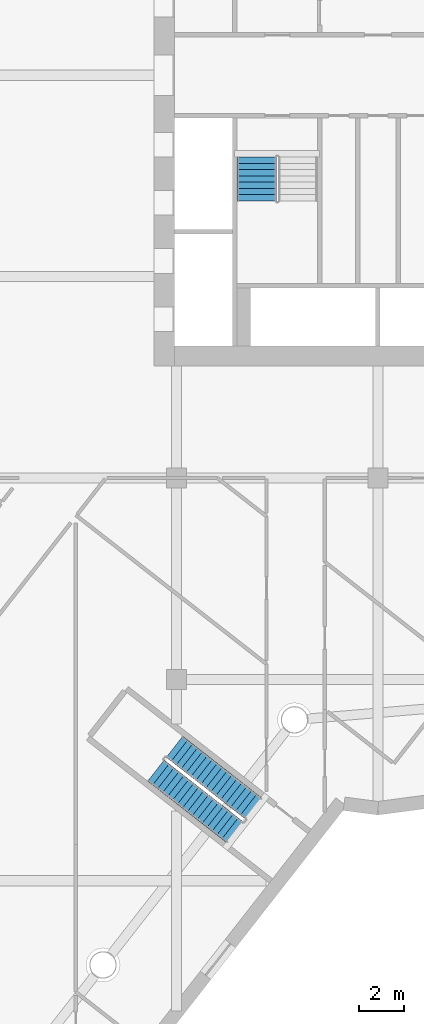
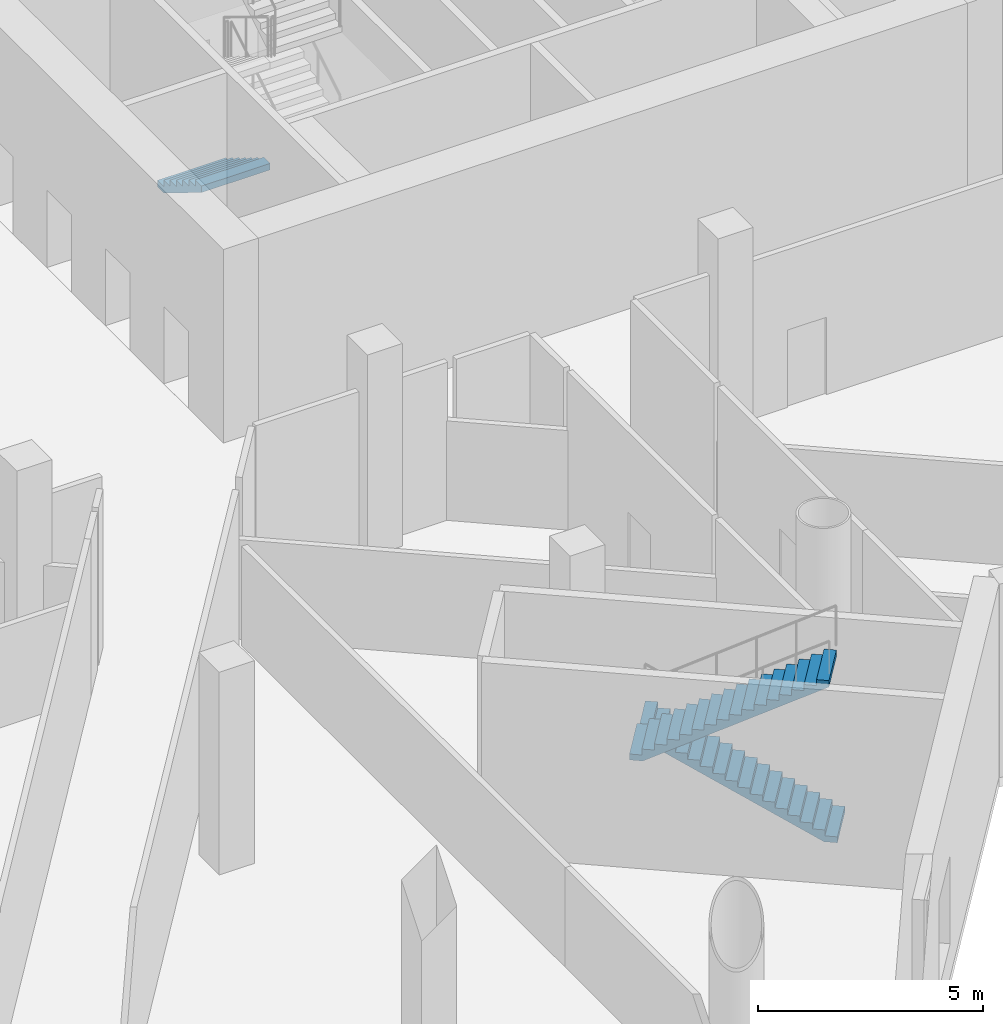
# One storey, part 13 of 23: 3 stair flights, 2 elements without a shape of their own.
"""IFC4 building model written with IfcOpenShell, lengths in metres."""

from ifc_helpers import new_model, si_unit, direction, frame, origin, place, context, subcontext, project, spatial, faceted_brep, material, type_object, element, aggregate, save


model = new_model("IFC4")

# Units and contexts
model_context = context("Model", 3, precision=1e-05, world=origin(), true_north=direction((0.0, 1.0)))
body_context = subcontext(model_context, "Body", "Model", "MODEL_VIEW")
ifc_project = project(units=[si_unit("LENGTHUNIT", "METRE"), si_unit("AREAUNIT", "SQUARE_METRE"), si_unit("VOLUMEUNIT", "CUBIC_METRE"), si_unit("PLANEANGLEUNIT", "RADIAN"), si_unit("MASSUNIT", "GRAM", prefix="KILO")], contexts=[model_context])

# Site, building, storey
site_placement = place(None, origin())
site = spatial("IfcSite", under=ifc_project, at=site_placement, CompositionType="ELEMENT")
building_placement = place(site_placement, origin())
building = spatial("IfcBuilding", under=site, at=building_placement, Name="Tarsis Ring Headquarters", CompositionType="ELEMENT")
storey_placement = place(building_placement, frame((0.0, 0.0, 14.0)))
storey = spatial("IfcBuildingStorey", under=building, at=storey_placement, Name="L02", CompositionType="ELEMENT", Elevation=14.0)

# Stair, stair flight
ifc_material_1 = material(Name="Core stair 1760")
stair_type_1 = type_object("IfcStairType", Name="Core stair 1760", PredefinedType="HALF_TURN_STAIR", material=ifc_material_1)
stair_1_placement = place(storey_placement, origin())
stair_1 = element("IfcStair", 1, at=stair_1_placement, inside=storey, type_object=stair_type_1, Name="L02 Exit stair C", PredefinedType="HALF_TURN_STAIR")
ifc_material_2 = material(Name="Concrete C40/50", Category="concrete")
stair_flight_type_1 = type_object("IfcStairFlightType", Name="Core stair flight 1760", PredefinedType="STRAIGHT", material=ifc_material_2)
stair_flight_1_placement = place(storey_placement, frame((-5.419921875, -3.659912109375, 0.0), z_axis=(0.0, 0.0, 1.0), x_axis=(0.0, -1.0, 0.0)))
stair_flight_1 = element("IfcStairFlight", 2, at=stair_flight_1_placement, type_object=stair_flight_type_1, Name="Stair ST3 flight 1", NumberOfRisers=8, NumberOfTreads=7, PredefinedType="STRAIGHT", RiserHeight=0.171875, TreadLength=0.28, context=body_context, shape_type="Brep", body=[
    faceted_brep([(0.0, 0.8798828125, 0.0), (0.0, 0.8798828125, 0.171875), (0.280029296875, 0.8798828125, 0.171875), (0.280029296875, 0.8798828125, 0.34375), (0.56005859375, 0.8798828125, 0.34375), (0.56005859375, 0.8798828125, 0.515625), (0.840087890625, 0.8798828125, 0.515625), (0.840087890625, 0.8798828125, 0.6875), (1.1201171875, 0.8798828125, 0.6875), (1.1201171875, 0.8798828125, 0.859375), (1.39990234375, 0.8798828125, 0.859375), (1.39990234375, 0.8798828125, 1.03125), (1.679931640625, 0.8798828125, 1.03125), (1.679931640625, 0.8798828125, 1.203125), (1.9599609375, 0.8798828125, 1.203125), (1.9599609375, 0.8798828125, 1.02734375), (0.28662109375, 0.8798828125, 0.0), (0.28662109375, -0.8798828125, 0.0), (1.9599609375, -0.8798828125, 1.02734375), (1.9599609375, -0.8798828125, 1.203125), (1.679931640625, -0.8798828125, 1.203125), (1.679931640625, -0.8798828125, 1.03125), (1.39990234375, -0.8798828125, 1.03125), (1.39990234375, -0.8798828125, 0.859375), (1.1201171875, -0.8798828125, 0.859375), (1.1201171875, -0.8798828125, 0.6875), (0.840087890625, -0.8798828125, 0.6875), (0.840087890625, -0.8798828125, 0.515625), (0.56005859375, -0.8798828125, 0.515625), (0.56005859375, -0.8798828125, 0.34375), (0.280029296875, -0.8798828125, 0.34375), (0.280029296875, -0.8798828125, 0.171875), (0.0, -0.8798828125, 0.171875), (0.0, -0.8798828125, 0.0), (0.0, -0.43994140625, 0.171875), (0.0, -0.43994140625, 0.0), (0.0, 0.0, 0.171875), (0.0, 0.0, 0.0), (0.0, 0.43994140625, 0.171875), (0.0, 0.43994140625, 0.0), (0.280029296875, -0.43994140625, 0.171875), (0.280029296875, 0.0, 0.171875), (0.280029296875, 0.43994140625, 0.171875), (0.280029296875, -0.43994140625, 0.34375), (0.280029296875, 0.0, 0.34375), (0.280029296875, 0.43994140625, 0.34375), (0.56005859375, -0.43994140625, 0.34375), (0.56005859375, 0.0, 0.34375), (0.56005859375, 0.43994140625, 0.34375), (0.56005859375, -0.43994140625, 0.515625), (0.56005859375, 0.0, 0.515625), (0.56005859375, 0.43994140625, 0.515625), (0.840087890625, -0.43994140625, 0.515625), (0.840087890625, 0.0, 0.515625), (0.840087890625, 0.43994140625, 0.515625), (0.840087890625, -0.43994140625, 0.6875), (0.840087890625, 0.0, 0.6875), (0.840087890625, 0.43994140625, 0.6875), (1.1201171875, -0.43994140625, 0.6875), (1.1201171875, 0.0, 0.6875), (1.1201171875, 0.43994140625, 0.6875), (1.1201171875, -0.43994140625, 0.859375), (1.1201171875, 0.0, 0.859375), (1.1201171875, 0.43994140625, 0.859375), (1.39990234375, -0.43994140625, 0.859375), (1.39990234375, 0.0, 0.859375), (1.39990234375, 0.43994140625, 0.859375), (1.39990234375, -0.43994140625, 1.03125), (1.39990234375, 0.0, 1.03125), (1.39990234375, 0.43994140625, 1.03125), (1.679931640625, -0.43994140625, 1.03125), (1.679931640625, 0.0, 1.03125), (1.679931640625, 0.43994140625, 1.03125), (1.679931640625, -0.43994140625, 1.203125), (1.679931640625, 0.0, 1.203125), (1.679931640625, 0.43994140625, 1.203125), (1.9599609375, -0.43994140625, 1.203125), (1.9599609375, 0.0, 1.203125), (1.9599609375, 0.43994140625, 1.203125), (1.9599609375, -0.43994140625, 1.02734375), (1.9599609375, 0.0, 1.02734375), (1.9599609375, 0.43994140625, 1.02734375), (0.28662109375, -0.43994140625, 0.0), (0.28662109375, 0.0, 0.0), (0.28662109375, 0.43994140625, 0.0)], [[[0, 1, 2, 3, 4, 5, 6, 7, 8, 9, 10, 11, 12, 13, 14, 15, 16]], [[17, 18, 19, 20, 21, 22, 23, 24, 25, 26, 27, 28, 29, 30, 31, 32, 33]], [[33, 32, 34, 35]], [[35, 34, 36, 37]], [[37, 36, 38, 39]], [[39, 38, 1, 0]], [[32, 31, 40, 34]], [[34, 40, 41, 36]], [[36, 41, 42, 38]], [[38, 42, 2, 1]], [[31, 30, 43, 40]], [[40, 43, 44, 41]], [[41, 44, 45, 42]], [[42, 45, 3, 2]], [[30, 29, 46, 43]], [[43, 46, 47, 44]], [[44, 47, 48, 45]], [[45, 48, 4, 3]], [[29, 28, 49, 46]], [[46, 49, 50, 47]], [[47, 50, 51, 48]], [[48, 51, 5, 4]], [[28, 27, 52, 49]], [[49, 52, 53, 50]], [[50, 53, 54, 51]], [[51, 54, 6, 5]], [[27, 26, 55, 52]], [[52, 55, 56, 53]], [[53, 56, 57, 54]], [[54, 57, 7, 6]], [[26, 25, 58, 55]], [[55, 58, 59, 56]], [[56, 59, 60, 57]], [[57, 60, 8, 7]], [[25, 24, 61, 58]], [[58, 61, 62, 59]], [[59, 62, 63, 60]], [[60, 63, 9, 8]], [[24, 23, 64, 61]], [[61, 64, 65, 62]], [[62, 65, 66, 63]], [[63, 66, 10, 9]], [[23, 22, 67, 64]], [[64, 67, 68, 65]], [[65, 68, 69, 66]], [[66, 69, 11, 10]], [[22, 21, 70, 67]], [[67, 70, 71, 68]], [[68, 71, 72, 69]], [[69, 72, 12, 11]], [[21, 20, 73, 70]], [[70, 73, 74, 71]], [[71, 74, 75, 72]], [[72, 75, 13, 12]], [[20, 19, 76, 73]], [[73, 76, 77, 74]], [[74, 77, 78, 75]], [[75, 78, 14, 13]], [[19, 18, 79, 76]], [[76, 79, 80, 77]], [[77, 80, 81, 78]], [[78, 81, 15, 14]], [[18, 17, 82, 79]], [[79, 82, 83, 80]], [[80, 83, 84, 81]], [[81, 84, 16, 15]], [[17, 33, 35, 82]], [[82, 35, 37, 83]], [[83, 37, 39, 84]], [[84, 39, 0, 16]]]),
])
aggregate(stair_1, [stair_flight_1])

# Stair, stair flights
stair_type_2 = type_object("IfcStairType", Name="PO-ST", PredefinedType="HALF_TURN_STAIR", material=ifc_material_2)
stair_2_placement = place(storey_placement, origin())
stair_2 = element("IfcStair", 3, at=stair_2_placement, inside=storey, type_object=stair_type_2, Name="L02 Podium stair", PredefinedType="HALF_TURN_STAIR")
stair_flight_type_2 = type_object("IfcStairFlightType", Name="PO-STF", PredefinedType="STRAIGHT", material=ifc_material_2)
stair_flight_2_placement = place(storey_placement, frame((-5.55712890625, -32.768798828125, 0.0), z_axis=(0.0, 0.0, 1.0), x_axis=(-0.788276433435, 0.615321269331, 0.0)))
stair_flight_2 = element("IfcStairFlight", 4, at=stair_flight_2_placement, type_object=stair_flight_type_2, Name="Stair PS2 flight 1", NumberOfRisers=17, NumberOfTreads=16, PredefinedType="STRAIGHT", RiserHeight=0.161764706, TreadLength=0.28, context=body_context, shape_type="Brep", body=[
    faceted_brep([(0.0, 0.60009765625, 0.0), (0.0, 0.60009765625, 0.161865234375), (0.280029296875, 0.60009765625, 0.161865234375), (0.280029296875, 0.60009765625, 0.323486328125), (0.56005859375, 0.60009765625, 0.323486328125), (0.56005859375, 0.60009765625, 0.4853515625), (0.840087890625, 0.60009765625, 0.4853515625), (0.840087890625, 0.60009765625, 0.64697265625), (1.1201171875, 0.60009765625, 0.64697265625), (1.1201171875, 0.60009765625, 0.808837890625), (1.39990234375, 0.60009765625, 0.808837890625), (1.39990234375, 0.60009765625, 0.970703125), (1.679931640625, 0.60009765625, 0.970703125), (1.679931640625, 0.60009765625, 1.13232421875), (1.9599609375, 0.60009765625, 1.13232421875), (1.9599609375, 0.60009765625, 1.294189453125), (2.239990234375, 0.60009765625, 1.294189453125), (2.239990234375, 0.60009765625, 1.455810546875), (2.52001953125, 0.60009765625, 1.455810546875), (2.52001953125, 0.60009765625, 1.61767578125), (2.800048828125, 0.60009765625, 1.61767578125), (2.800048828125, 0.60009765625, 1.779296875), (3.080078125, 0.60009765625, 1.779296875), (3.080078125, 0.60009765625, 1.941162109375), (3.360107421875, 0.60009765625, 1.941162109375), (3.360107421875, 0.60009765625, 2.10302734375), (3.639892578125, 0.60009765625, 2.10302734375), (3.639892578125, 0.60009765625, 2.2646484375), (3.919921875, 0.60009765625, 2.2646484375), (3.919921875, 0.60009765625, 2.426513671875), (4.199951171875, 0.60009765625, 2.426513671875), (4.199951171875, 0.60009765625, 2.588134765625), (4.47998046875, 0.60009765625, 2.588134765625), (4.47998046875, 0.60009765625, 2.4150390625), (0.299560546875, 0.60009765625, 0.0), (0.299560546875, -0.60009765625, 0.0), (4.47998046875, -0.60009765625, 2.4150390625), (4.47998046875, -0.60009765625, 2.588134765625), (4.199951171875, -0.60009765625, 2.588134765625), (4.199951171875, -0.60009765625, 2.426513671875), (3.919921875, -0.60009765625, 2.426513671875), (3.919921875, -0.60009765625, 2.2646484375), (3.639892578125, -0.60009765625, 2.2646484375), (3.639892578125, -0.60009765625, 2.10302734375), (3.360107421875, -0.60009765625, 2.10302734375), (3.360107421875, -0.60009765625, 1.941162109375), (3.080078125, -0.60009765625, 1.941162109375), (3.080078125, -0.60009765625, 1.779296875), (2.800048828125, -0.60009765625, 1.779296875), (2.800048828125, -0.60009765625, 1.61767578125), (2.52001953125, -0.60009765625, 1.61767578125), (2.52001953125, -0.60009765625, 1.455810546875), (2.239990234375, -0.60009765625, 1.455810546875), (2.239990234375, -0.60009765625, 1.294189453125), (1.9599609375, -0.60009765625, 1.294189453125), (1.9599609375, -0.60009765625, 1.13232421875), (1.679931640625, -0.60009765625, 1.13232421875), (1.679931640625, -0.60009765625, 0.970703125), (1.39990234375, -0.60009765625, 0.970703125), (1.39990234375, -0.60009765625, 0.808837890625), (1.1201171875, -0.60009765625, 0.808837890625), (1.1201171875, -0.60009765625, 0.64697265625), (0.840087890625, -0.60009765625, 0.64697265625), (0.840087890625, -0.60009765625, 0.4853515625), (0.56005859375, -0.60009765625, 0.4853515625), (0.56005859375, -0.60009765625, 0.323486328125), (0.280029296875, -0.60009765625, 0.323486328125), (0.280029296875, -0.60009765625, 0.161865234375), (0.0, -0.60009765625, 0.161865234375), (0.0, -0.60009765625, 0.0), (0.0, -0.300048828125, 0.161865234375), (0.0, -0.300048828125, 0.0), (0.0, 0.0, 0.161865234375), (0.0, 0.0, 0.0), (0.0, 0.300048828125, 0.161865234375), (0.0, 0.300048828125, 0.0), (0.280029296875, -0.300048828125, 0.161865234375), (0.280029296875, 0.0, 0.161865234375), (0.280029296875, 0.300048828125, 0.161865234375), (0.280029296875, -0.300048828125, 0.323486328125), (0.280029296875, 0.0, 0.323486328125), (0.280029296875, 0.300048828125, 0.323486328125), (0.56005859375, -0.300048828125, 0.323486328125), (0.56005859375, 0.0, 0.323486328125), (0.56005859375, 0.300048828125, 0.323486328125), (0.56005859375, -0.300048828125, 0.4853515625), (0.56005859375, 0.0, 0.4853515625), (0.56005859375, 0.300048828125, 0.4853515625), (0.840087890625, -0.300048828125, 0.4853515625), (0.840087890625, 0.0, 0.4853515625), (0.840087890625, 0.300048828125, 0.4853515625), (0.840087890625, -0.300048828125, 0.64697265625), (0.840087890625, 0.0, 0.64697265625), (0.840087890625, 0.300048828125, 0.64697265625), (1.1201171875, -0.300048828125, 0.64697265625), (1.1201171875, 0.0, 0.64697265625), (1.1201171875, 0.300048828125, 0.64697265625), (1.1201171875, -0.300048828125, 0.808837890625), (1.1201171875, 0.0, 0.808837890625), (1.1201171875, 0.300048828125, 0.808837890625), (1.39990234375, -0.300048828125, 0.808837890625), (1.39990234375, 0.0, 0.808837890625), (1.39990234375, 0.300048828125, 0.808837890625), (1.39990234375, -0.300048828125, 0.970703125), (1.39990234375, 0.0, 0.970703125), (1.39990234375, 0.300048828125, 0.970703125), (1.679931640625, -0.300048828125, 0.970703125), (1.679931640625, 0.0, 0.970703125), (1.679931640625, 0.300048828125, 0.970703125), (1.679931640625, -0.300048828125, 1.13232421875), (1.679931640625, 0.0, 1.13232421875), (1.679931640625, 0.300048828125, 1.13232421875), (1.9599609375, -0.300048828125, 1.13232421875), (1.9599609375, 0.0, 1.13232421875), (1.9599609375, 0.300048828125, 1.13232421875), (1.9599609375, -0.300048828125, 1.294189453125), (1.9599609375, 0.0, 1.294189453125), (1.9599609375, 0.300048828125, 1.294189453125), (2.239990234375, -0.300048828125, 1.294189453125), (2.239990234375, 0.0, 1.294189453125), (2.239990234375, 0.300048828125, 1.294189453125), (2.239990234375, -0.300048828125, 1.455810546875), (2.239990234375, 0.0, 1.455810546875), (2.239990234375, 0.300048828125, 1.455810546875), (2.52001953125, -0.300048828125, 1.455810546875), (2.52001953125, 0.0, 1.455810546875), (2.52001953125, 0.300048828125, 1.455810546875), (2.52001953125, -0.300048828125, 1.61767578125), (2.52001953125, 0.0, 1.61767578125), (2.52001953125, 0.300048828125, 1.61767578125), (2.800048828125, -0.300048828125, 1.61767578125), (2.800048828125, 0.0, 1.61767578125), (2.800048828125, 0.300048828125, 1.61767578125), (2.800048828125, -0.300048828125, 1.779296875), (2.800048828125, 0.0, 1.779296875), (2.800048828125, 0.300048828125, 1.779296875), (3.080078125, -0.300048828125, 1.779296875), (3.080078125, 0.0, 1.779296875), (3.080078125, 0.300048828125, 1.779296875), (3.080078125, -0.300048828125, 1.941162109375), (3.080078125, 0.0, 1.941162109375), (3.080078125, 0.300048828125, 1.941162109375), (3.360107421875, -0.300048828125, 1.941162109375), (3.360107421875, 0.0, 1.941162109375), (3.360107421875, 0.300048828125, 1.941162109375), (3.360107421875, -0.300048828125, 2.10302734375), (3.360107421875, 0.0, 2.10302734375), (3.360107421875, 0.300048828125, 2.10302734375), (3.639892578125, -0.300048828125, 2.10302734375), (3.639892578125, 0.0, 2.10302734375), (3.639892578125, 0.300048828125, 2.10302734375), (3.639892578125, -0.300048828125, 2.2646484375), (3.639892578125, 0.0, 2.2646484375), (3.639892578125, 0.300048828125, 2.2646484375), (3.919921875, -0.300048828125, 2.2646484375), (3.919921875, 0.0, 2.2646484375), (3.919921875, 0.300048828125, 2.2646484375), (3.919921875, -0.300048828125, 2.426513671875), (3.919921875, 0.0, 2.426513671875), (3.919921875, 0.300048828125, 2.426513671875), (4.199951171875, -0.300048828125, 2.426513671875), (4.199951171875, 0.0, 2.426513671875), (4.199951171875, 0.300048828125, 2.426513671875), (4.199951171875, -0.300048828125, 2.588134765625), (4.199951171875, 0.0, 2.588134765625), (4.199951171875, 0.300048828125, 2.588134765625), (4.47998046875, -0.300048828125, 2.588134765625), (4.47998046875, 0.0, 2.588134765625), (4.47998046875, 0.300048828125, 2.588134765625), (4.47998046875, -0.300048828125, 2.4150390625), (4.47998046875, 0.0, 2.4150390625), (4.47998046875, 0.300048828125, 2.4150390625), (0.299560546875, -0.300048828125, 0.0), (0.299560546875, 0.0, 0.0), (0.299560546875, 0.300048828125, 0.0)], [[[0, 1, 2, 3, 4, 5, 6, 7, 8, 9, 10, 11, 12, 13, 14, 15, 16, 17, 18, 19, 20, 21, 22, 23, 24, 25, 26, 27, 28, 29, 30, 31, 32, 33, 34]], [[35, 36, 37, 38, 39, 40, 41, 42, 43, 44, 45, 46, 47, 48, 49, 50, 51, 52, 53, 54, 55, 56, 57, 58, 59, 60, 61, 62, 63, 64, 65, 66, 67, 68, 69]], [[69, 68, 70, 71]], [[71, 70, 72, 73]], [[73, 72, 74, 75]], [[75, 74, 1, 0]], [[68, 67, 76, 70]], [[70, 76, 77, 72]], [[72, 77, 78, 74]], [[74, 78, 2, 1]], [[67, 66, 79, 76]], [[76, 79, 80, 77]], [[77, 80, 81, 78]], [[78, 81, 3, 2]], [[66, 65, 82, 79]], [[79, 82, 83, 80]], [[80, 83, 84, 81]], [[81, 84, 4, 3]], [[65, 64, 85, 82]], [[82, 85, 86, 83]], [[83, 86, 87, 84]], [[84, 87, 5, 4]], [[64, 63, 88, 85]], [[85, 88, 89, 86]], [[86, 89, 90, 87]], [[87, 90, 6, 5]], [[63, 62, 91, 88]], [[88, 91, 92, 89]], [[89, 92, 93, 90]], [[90, 93, 7, 6]], [[62, 61, 94, 91]], [[91, 94, 95, 92]], [[92, 95, 96, 93]], [[93, 96, 8, 7]], [[61, 60, 97, 94]], [[94, 97, 98, 95]], [[95, 98, 99, 96]], [[96, 99, 9, 8]], [[60, 59, 100, 97]], [[97, 100, 101, 98]], [[98, 101, 102, 99]], [[99, 102, 10, 9]], [[59, 58, 103, 100]], [[100, 103, 104, 101]], [[101, 104, 105, 102]], [[102, 105, 11, 10]], [[58, 57, 106, 103]], [[103, 106, 107, 104]], [[104, 107, 108, 105]], [[105, 108, 12, 11]], [[57, 56, 109, 106]], [[106, 109, 110, 107]], [[107, 110, 111, 108]], [[108, 111, 13, 12]], [[56, 55, 112, 109]], [[109, 112, 113, 110]], [[110, 113, 114, 111]], [[111, 114, 14, 13]], [[55, 54, 115, 112]], [[112, 115, 116, 113]], [[113, 116, 117, 114]], [[114, 117, 15, 14]], [[54, 53, 118, 115]], [[115, 118, 119, 116]], [[116, 119, 120, 117]], [[117, 120, 16, 15]], [[53, 52, 121, 118]], [[118, 121, 122, 119]], [[119, 122, 123, 120]], [[120, 123, 17, 16]], [[52, 51, 124, 121]], [[121, 124, 125, 122]], [[122, 125, 126, 123]], [[123, 126, 18, 17]], [[51, 50, 127, 124]], [[124, 127, 128, 125]], [[125, 128, 129, 126]], [[126, 129, 19, 18]], [[50, 49, 130, 127]], [[127, 130, 131, 128]], [[128, 131, 132, 129]], [[129, 132, 20, 19]], [[49, 48, 133, 130]], [[130, 133, 134, 131]], [[131, 134, 135, 132]], [[132, 135, 21, 20]], [[48, 47, 136, 133]], [[133, 136, 137, 134]], [[134, 137, 138, 135]], [[135, 138, 22, 21]], [[47, 46, 139, 136]], [[136, 139, 140, 137]], [[137, 140, 141, 138]], [[138, 141, 23, 22]], [[46, 45, 142, 139]], [[139, 142, 143, 140]], [[140, 143, 144, 141]], [[141, 144, 24, 23]], [[45, 44, 145, 142]], [[142, 145, 146, 143]], [[143, 146, 147, 144]], [[144, 147, 25, 24]], [[44, 43, 148, 145]], [[145, 148, 149, 146]], [[146, 149, 150, 147]], [[147, 150, 26, 25]], [[43, 42, 151, 148]], [[148, 151, 152, 149]], [[149, 152, 153, 150]], [[150, 153, 27, 26]], [[42, 41, 154, 151]], [[151, 154, 155, 152]], [[152, 155, 156, 153]], [[153, 156, 28, 27]], [[41, 40, 157, 154]], [[154, 157, 158, 155]], [[155, 158, 159, 156]], [[156, 159, 29, 28]], [[40, 39, 160, 157]], [[157, 160, 161, 158]], [[158, 161, 162, 159]], [[159, 162, 30, 29]], [[39, 38, 163, 160]], [[160, 163, 164, 161]], [[161, 164, 165, 162]], [[162, 165, 31, 30]], [[38, 37, 166, 163]], [[163, 166, 167, 164]], [[164, 167, 168, 165]], [[165, 168, 32, 31]], [[37, 36, 169, 166]], [[166, 169, 170, 167]], [[167, 170, 171, 168]], [[168, 171, 33, 32]], [[36, 35, 172, 169]], [[169, 172, 173, 170]], [[170, 173, 174, 171]], [[171, 174, 34, 33]], [[35, 69, 71, 172]], [[172, 71, 73, 173]], [[173, 73, 75, 174]], [[174, 75, 0, 34]]]),
])
stair_flight_3_placement = place(storey_placement, frame((-9.919189453125, -31.076416015625, 2.75), z_axis=(0.0, 0.0, 1.0), x_axis=(0.788276433435, -0.615321269331, 0.0)))
stair_flight_3 = element("IfcStairFlight", 5, at=stair_flight_3_placement, type_object=stair_flight_type_2, Name="Stair PS2 flight 2", NumberOfRisers=17, NumberOfTreads=16, PredefinedType="STRAIGHT", RiserHeight=0.161764706, TreadLength=0.28, context=body_context, shape_type="Brep", body=[
    faceted_brep([(0.0, 0.60009765625, 0.0), (0.0, 0.60009765625, 0.161865234375), (0.280029296875, 0.60009765625, 0.161865234375), (0.280029296875, 0.60009765625, 0.323486328125), (0.56005859375, 0.60009765625, 0.323486328125), (0.56005859375, 0.60009765625, 0.4853515625), (0.840087890625, 0.60009765625, 0.4853515625), (0.840087890625, 0.60009765625, 0.64697265625), (1.1201171875, 0.60009765625, 0.64697265625), (1.1201171875, 0.60009765625, 0.808837890625), (1.39990234375, 0.60009765625, 0.808837890625), (1.39990234375, 0.60009765625, 0.970703125), (1.679931640625, 0.60009765625, 0.970703125), (1.679931640625, 0.60009765625, 1.13232421875), (1.9599609375, 0.60009765625, 1.13232421875), (1.9599609375, 0.60009765625, 1.294189453125), (2.239990234375, 0.60009765625, 1.294189453125), (2.239990234375, 0.60009765625, 1.455810546875), (2.52001953125, 0.60009765625, 1.455810546875), (2.52001953125, 0.60009765625, 1.61767578125), (2.800048828125, 0.60009765625, 1.61767578125), (2.800048828125, 0.60009765625, 1.779296875), (3.080078125, 0.60009765625, 1.779296875), (3.080078125, 0.60009765625, 1.941162109375), (3.360107421875, 0.60009765625, 1.941162109375), (3.360107421875, 0.60009765625, 2.10302734375), (3.639892578125, 0.60009765625, 2.10302734375), (3.639892578125, 0.60009765625, 2.2646484375), (3.919921875, 0.60009765625, 2.2646484375), (3.919921875, 0.60009765625, 2.426513671875), (4.199951171875, 0.60009765625, 2.426513671875), (4.199951171875, 0.60009765625, 2.588134765625), (4.47998046875, 0.60009765625, 2.588134765625), (4.47998046875, 0.60009765625, 2.4150390625), (0.299560546875, 0.60009765625, 0.0), (0.299560546875, -0.60009765625, 0.0), (4.47998046875, -0.60009765625, 2.4150390625), (4.47998046875, -0.60009765625, 2.588134765625), (4.199951171875, -0.60009765625, 2.588134765625), (4.199951171875, -0.60009765625, 2.426513671875), (3.919921875, -0.60009765625, 2.426513671875), (3.919921875, -0.60009765625, 2.2646484375), (3.639892578125, -0.60009765625, 2.2646484375), (3.639892578125, -0.60009765625, 2.10302734375), (3.360107421875, -0.60009765625, 2.10302734375), (3.360107421875, -0.60009765625, 1.941162109375), (3.080078125, -0.60009765625, 1.941162109375), (3.080078125, -0.60009765625, 1.779296875), (2.800048828125, -0.60009765625, 1.779296875), (2.800048828125, -0.60009765625, 1.61767578125), (2.52001953125, -0.60009765625, 1.61767578125), (2.52001953125, -0.60009765625, 1.455810546875), (2.239990234375, -0.60009765625, 1.455810546875), (2.239990234375, -0.60009765625, 1.294189453125), (1.9599609375, -0.60009765625, 1.294189453125), (1.9599609375, -0.60009765625, 1.13232421875), (1.679931640625, -0.60009765625, 1.13232421875), (1.679931640625, -0.60009765625, 0.970703125), (1.39990234375, -0.60009765625, 0.970703125), (1.39990234375, -0.60009765625, 0.808837890625), (1.1201171875, -0.60009765625, 0.808837890625), (1.1201171875, -0.60009765625, 0.64697265625), (0.840087890625, -0.60009765625, 0.64697265625), (0.840087890625, -0.60009765625, 0.4853515625), (0.56005859375, -0.60009765625, 0.4853515625), (0.56005859375, -0.60009765625, 0.323486328125), (0.280029296875, -0.60009765625, 0.323486328125), (0.280029296875, -0.60009765625, 0.161865234375), (0.0, -0.60009765625, 0.161865234375), (0.0, -0.60009765625, 0.0), (0.0, -0.300048828125, 0.161865234375), (0.0, -0.300048828125, 0.0), (0.0, 0.0, 0.161865234375), (0.0, 0.0, 0.0), (0.0, 0.300048828125, 0.161865234375), (0.0, 0.300048828125, 0.0), (0.280029296875, -0.300048828125, 0.161865234375), (0.280029296875, 0.0, 0.161865234375), (0.280029296875, 0.300048828125, 0.161865234375), (0.280029296875, -0.300048828125, 0.323486328125), (0.280029296875, 0.0, 0.323486328125), (0.280029296875, 0.300048828125, 0.323486328125), (0.56005859375, -0.300048828125, 0.323486328125), (0.56005859375, 0.0, 0.323486328125), (0.56005859375, 0.300048828125, 0.323486328125), (0.56005859375, -0.300048828125, 0.4853515625), (0.56005859375, 0.0, 0.4853515625), (0.56005859375, 0.300048828125, 0.4853515625), (0.840087890625, -0.300048828125, 0.4853515625), (0.840087890625, 0.0, 0.4853515625), (0.840087890625, 0.300048828125, 0.4853515625), (0.840087890625, -0.300048828125, 0.64697265625), (0.840087890625, 0.0, 0.64697265625), (0.840087890625, 0.300048828125, 0.64697265625), (1.1201171875, -0.300048828125, 0.64697265625), (1.1201171875, 0.0, 0.64697265625), (1.1201171875, 0.300048828125, 0.64697265625), (1.1201171875, -0.300048828125, 0.808837890625), (1.1201171875, 0.0, 0.808837890625), (1.1201171875, 0.300048828125, 0.808837890625), (1.39990234375, -0.300048828125, 0.808837890625), (1.39990234375, 0.0, 0.808837890625), (1.39990234375, 0.300048828125, 0.808837890625), (1.39990234375, -0.300048828125, 0.970703125), (1.39990234375, 0.0, 0.970703125), (1.39990234375, 0.300048828125, 0.970703125), (1.679931640625, -0.300048828125, 0.970703125), (1.679931640625, 0.0, 0.970703125), (1.679931640625, 0.300048828125, 0.970703125), (1.679931640625, -0.300048828125, 1.13232421875), (1.679931640625, 0.0, 1.13232421875), (1.679931640625, 0.300048828125, 1.13232421875), (1.9599609375, -0.300048828125, 1.13232421875), (1.9599609375, 0.0, 1.13232421875), (1.9599609375, 0.300048828125, 1.13232421875), (1.9599609375, -0.300048828125, 1.294189453125), (1.9599609375, 0.0, 1.294189453125), (1.9599609375, 0.300048828125, 1.294189453125), (2.239990234375, -0.300048828125, 1.294189453125), (2.239990234375, 0.0, 1.294189453125), (2.239990234375, 0.300048828125, 1.294189453125), (2.239990234375, -0.300048828125, 1.455810546875), (2.239990234375, 0.0, 1.455810546875), (2.239990234375, 0.300048828125, 1.455810546875), (2.52001953125, -0.300048828125, 1.455810546875), (2.52001953125, 0.0, 1.455810546875), (2.52001953125, 0.300048828125, 1.455810546875), (2.52001953125, -0.300048828125, 1.61767578125), (2.52001953125, 0.0, 1.61767578125), (2.52001953125, 0.300048828125, 1.61767578125), (2.800048828125, -0.300048828125, 1.61767578125), (2.800048828125, 0.0, 1.61767578125), (2.800048828125, 0.300048828125, 1.61767578125), (2.800048828125, -0.300048828125, 1.779296875), (2.800048828125, 0.0, 1.779296875), (2.800048828125, 0.300048828125, 1.779296875), (3.080078125, -0.300048828125, 1.779296875), (3.080078125, 0.0, 1.779296875), (3.080078125, 0.300048828125, 1.779296875), (3.080078125, -0.300048828125, 1.941162109375), (3.080078125, 0.0, 1.941162109375), (3.080078125, 0.300048828125, 1.941162109375), (3.360107421875, -0.300048828125, 1.941162109375), (3.360107421875, 0.0, 1.941162109375), (3.360107421875, 0.300048828125, 1.941162109375), (3.360107421875, -0.300048828125, 2.10302734375), (3.360107421875, 0.0, 2.10302734375), (3.360107421875, 0.300048828125, 2.10302734375), (3.639892578125, -0.300048828125, 2.10302734375), (3.639892578125, 0.0, 2.10302734375), (3.639892578125, 0.300048828125, 2.10302734375), (3.639892578125, -0.300048828125, 2.2646484375), (3.639892578125, 0.0, 2.2646484375), (3.639892578125, 0.300048828125, 2.2646484375), (3.919921875, -0.300048828125, 2.2646484375), (3.919921875, 0.0, 2.2646484375), (3.919921875, 0.300048828125, 2.2646484375), (3.919921875, -0.300048828125, 2.426513671875), (3.919921875, 0.0, 2.426513671875), (3.919921875, 0.300048828125, 2.426513671875), (4.199951171875, -0.300048828125, 2.426513671875), (4.199951171875, 0.0, 2.426513671875), (4.199951171875, 0.300048828125, 2.426513671875), (4.199951171875, -0.300048828125, 2.588134765625), (4.199951171875, 0.0, 2.588134765625), (4.199951171875, 0.300048828125, 2.588134765625), (4.47998046875, -0.300048828125, 2.588134765625), (4.47998046875, 0.0, 2.588134765625), (4.47998046875, 0.300048828125, 2.588134765625), (4.47998046875, -0.300048828125, 2.4150390625), (4.47998046875, 0.0, 2.4150390625), (4.47998046875, 0.300048828125, 2.4150390625), (0.299560546875, -0.300048828125, 0.0), (0.299560546875, 0.0, 0.0), (0.299560546875, 0.300048828125, 0.0)], [[[0, 1, 2, 3, 4, 5, 6, 7, 8, 9, 10, 11, 12, 13, 14, 15, 16, 17, 18, 19, 20, 21, 22, 23, 24, 25, 26, 27, 28, 29, 30, 31, 32, 33, 34]], [[35, 36, 37, 38, 39, 40, 41, 42, 43, 44, 45, 46, 47, 48, 49, 50, 51, 52, 53, 54, 55, 56, 57, 58, 59, 60, 61, 62, 63, 64, 65, 66, 67, 68, 69]], [[69, 68, 70, 71]], [[71, 70, 72, 73]], [[73, 72, 74, 75]], [[75, 74, 1, 0]], [[68, 67, 76, 70]], [[70, 76, 77, 72]], [[72, 77, 78, 74]], [[74, 78, 2, 1]], [[67, 66, 79, 76]], [[76, 79, 80, 77]], [[77, 80, 81, 78]], [[78, 81, 3, 2]], [[66, 65, 82, 79]], [[79, 82, 83, 80]], [[80, 83, 84, 81]], [[81, 84, 4, 3]], [[65, 64, 85, 82]], [[82, 85, 86, 83]], [[83, 86, 87, 84]], [[84, 87, 5, 4]], [[64, 63, 88, 85]], [[85, 88, 89, 86]], [[86, 89, 90, 87]], [[87, 90, 6, 5]], [[63, 62, 91, 88]], [[88, 91, 92, 89]], [[89, 92, 93, 90]], [[90, 93, 7, 6]], [[62, 61, 94, 91]], [[91, 94, 95, 92]], [[92, 95, 96, 93]], [[93, 96, 8, 7]], [[61, 60, 97, 94]], [[94, 97, 98, 95]], [[95, 98, 99, 96]], [[96, 99, 9, 8]], [[60, 59, 100, 97]], [[97, 100, 101, 98]], [[98, 101, 102, 99]], [[99, 102, 10, 9]], [[59, 58, 103, 100]], [[100, 103, 104, 101]], [[101, 104, 105, 102]], [[102, 105, 11, 10]], [[58, 57, 106, 103]], [[103, 106, 107, 104]], [[104, 107, 108, 105]], [[105, 108, 12, 11]], [[57, 56, 109, 106]], [[106, 109, 110, 107]], [[107, 110, 111, 108]], [[108, 111, 13, 12]], [[56, 55, 112, 109]], [[109, 112, 113, 110]], [[110, 113, 114, 111]], [[111, 114, 14, 13]], [[55, 54, 115, 112]], [[112, 115, 116, 113]], [[113, 116, 117, 114]], [[114, 117, 15, 14]], [[54, 53, 118, 115]], [[115, 118, 119, 116]], [[116, 119, 120, 117]], [[117, 120, 16, 15]], [[53, 52, 121, 118]], [[118, 121, 122, 119]], [[119, 122, 123, 120]], [[120, 123, 17, 16]], [[52, 51, 124, 121]], [[121, 124, 125, 122]], [[122, 125, 126, 123]], [[123, 126, 18, 17]], [[51, 50, 127, 124]], [[124, 127, 128, 125]], [[125, 128, 129, 126]], [[126, 129, 19, 18]], [[50, 49, 130, 127]], [[127, 130, 131, 128]], [[128, 131, 132, 129]], [[129, 132, 20, 19]], [[49, 48, 133, 130]], [[130, 133, 134, 131]], [[131, 134, 135, 132]], [[132, 135, 21, 20]], [[48, 47, 136, 133]], [[133, 136, 137, 134]], [[134, 137, 138, 135]], [[135, 138, 22, 21]], [[47, 46, 139, 136]], [[136, 139, 140, 137]], [[137, 140, 141, 138]], [[138, 141, 23, 22]], [[46, 45, 142, 139]], [[139, 142, 143, 140]], [[140, 143, 144, 141]], [[141, 144, 24, 23]], [[45, 44, 145, 142]], [[142, 145, 146, 143]], [[143, 146, 147, 144]], [[144, 147, 25, 24]], [[44, 43, 148, 145]], [[145, 148, 149, 146]], [[146, 149, 150, 147]], [[147, 150, 26, 25]], [[43, 42, 151, 148]], [[148, 151, 152, 149]], [[149, 152, 153, 150]], [[150, 153, 27, 26]], [[42, 41, 154, 151]], [[151, 154, 155, 152]], [[152, 155, 156, 153]], [[153, 156, 28, 27]], [[41, 40, 157, 154]], [[154, 157, 158, 155]], [[155, 158, 159, 156]], [[156, 159, 29, 28]], [[40, 39, 160, 157]], [[157, 160, 161, 158]], [[158, 161, 162, 159]], [[159, 162, 30, 29]], [[39, 38, 163, 160]], [[160, 163, 164, 161]], [[161, 164, 165, 162]], [[162, 165, 31, 30]], [[38, 37, 166, 163]], [[163, 166, 167, 164]], [[164, 167, 168, 165]], [[165, 168, 32, 31]], [[37, 36, 169, 166]], [[166, 169, 170, 167]], [[167, 170, 171, 168]], [[168, 171, 33, 32]], [[36, 35, 172, 169]], [[169, 172, 173, 170]], [[170, 173, 174, 171]], [[171, 174, 34, 33]], [[35, 69, 71, 172]], [[172, 71, 73, 173]], [[173, 73, 75, 174]], [[174, 75, 0, 34]]]),
])
aggregate(stair_2, [stair_flight_2, stair_flight_3])

save(model, "model.ifc")
